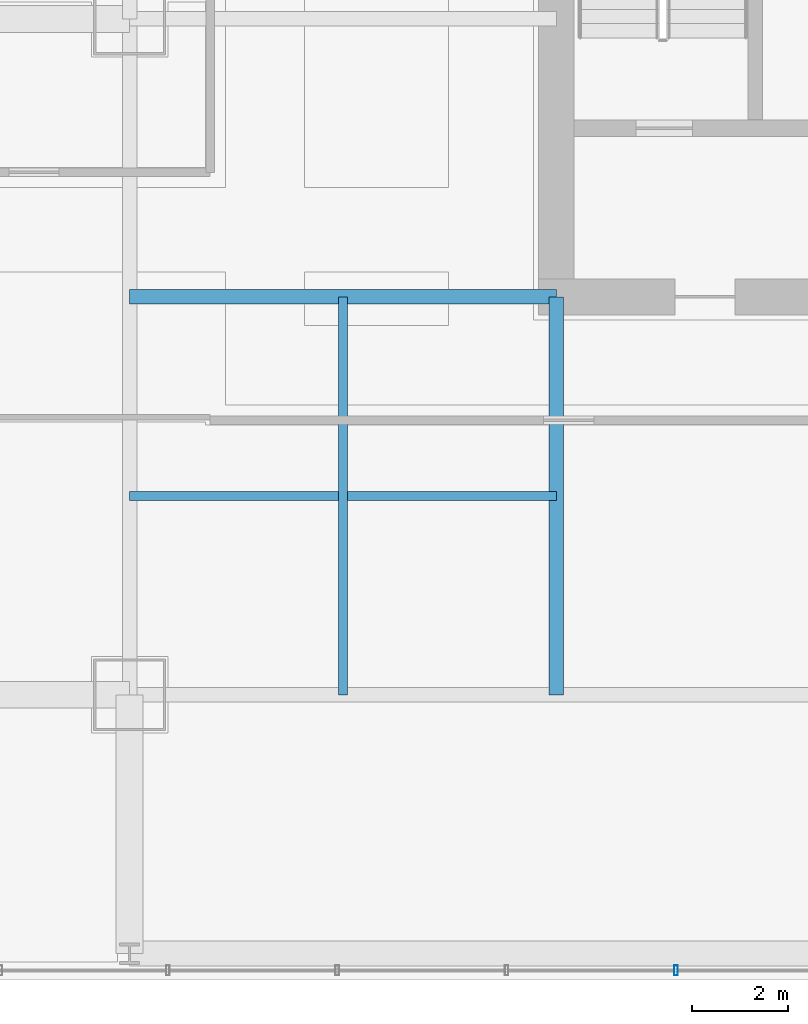
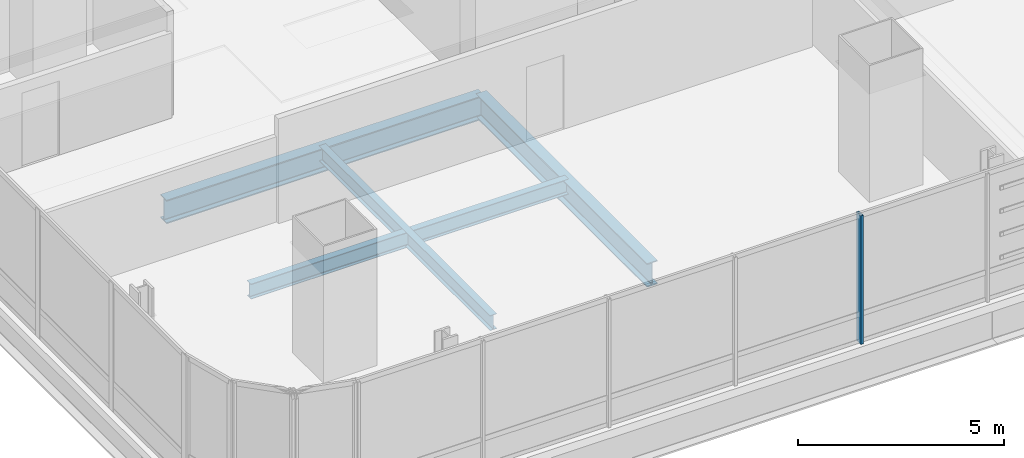
# One storey, part 5 of 36: 4 beams, 1 member, 1 element without a shape of its own.
"""IFC4 building model written with IfcOpenShell, lengths in metres."""

from ifc_helpers import new_model, si_unit, direction, frame, origin, origin_2d, place, context, subcontext, project, spatial, hollow_rectangle, i_section, extrude, material, material_profile, profile_set, type_object, element, aggregate, save


model = new_model("IFC4")

# Units and contexts
model_context = context("Model", 3, precision=1e-05, world=origin(), true_north=direction((0.0, 1.0)))
body_context = subcontext(model_context, "Body", "Model", "MODEL_VIEW")
ifc_project = project(units=[si_unit("LENGTHUNIT", "METRE"), si_unit("AREAUNIT", "SQUARE_METRE"), si_unit("VOLUMEUNIT", "CUBIC_METRE"), si_unit("PLANEANGLEUNIT", "RADIAN"), si_unit("MASSUNIT", "GRAM", prefix="KILO")], contexts=[model_context])

# Site, building, storey
site_placement = place(None, origin())
site = spatial("IfcSite", under=ifc_project, at=site_placement, CompositionType="ELEMENT")
building_placement = place(site_placement, origin())
building = spatial("IfcBuilding", under=site, at=building_placement, Name="Punatoya Terracotta Tower", CompositionType="ELEMENT")
storey_placement = place(building_placement, frame((0.0, 0.0, 32.25)))
storey = spatial("IfcBuildingStorey", under=building, at=storey_placement, Name="L06", CompositionType="ELEMENT", Elevation=32.25)

# Beams
ifc_material_1 = material(Name="Steel S355", Category="steel")
ifc_material_profile_1 = material_profile(ifc_material_1, i_section(OverallWidth=0.300048828125, OverallDepth=0.699951171875, WebThickness=0.01708984375, FlangeThickness=0.031982421875, FilletRadius=0.01806640625, at=origin_2d()))
ifc_profile_set_1 = profile_set([ifc_material_profile_1], Name="Steel S355")
beam_type_1 = type_object("IfcBeamType", Name="BM-PRI-700", PredefinedType="BEAM", material=ifc_profile_set_1)
beam_1_placement = place(storey_placement, frame((-19.10009765625, -9.199951171875, -0.590087890625), z_axis=(1.0, 0.0, 0.0), x_axis=(0.0, 1.0, 0.0)))
element("IfcBeam", 1, at=beam_1_placement, inside=storey, type_object=beam_type_1, Name="BM-L06-PR-WS", PredefinedType="BEAM", context=body_context, shape_type="SweptSolid", body=[
    extrude(i_section(OverallWidth=0.300048828125, OverallDepth=0.699951171875, WebThickness=0.01708984375, FlangeThickness=0.031982421875, FilletRadius=0.01806640625, at=origin_2d()), origin(), (0.0, 0.0, 1.0), 8.900146484375),
])
beam_2_placement = place(storey_placement, frame((-10.199951171875, -17.5, -0.590087890625), z_axis=(0.0, 1.0, 0.0), x_axis=(-1.0, 0.0, 0.0)))
element("IfcBeam", 2, at=beam_2_placement, inside=storey, type_object=beam_type_1, Name="BM-L06-PR-S1", PredefinedType="BEAM", context=body_context, shape_type="SweptSolid", body=[
    extrude(i_section(OverallWidth=0.300048828125, OverallDepth=0.699951171875, WebThickness=0.01708984375, FlangeThickness=0.031982421875, FilletRadius=0.01806640625, at=origin_2d()), origin(), (0.0, 0.0, 1.0), 8.300048828125),
])
ifc_material_profile_2 = material_profile(ifc_material_1, i_section(OverallWidth=0.18994140625, OverallDepth=0.449951171875, WebThickness=0.009521484375, FlangeThickness=0.0146484375, FilletRadius=0.01806640625, at=origin_2d()))
ifc_profile_set_2 = profile_set([ifc_material_profile_2], Name="Steel S355")
beam_type_2 = type_object("IfcBeamType", Name="BM-SEC-450", PredefinedType="JOIST", material=ifc_profile_set_2)
beam_3_placement = place(storey_placement, frame((-19.10009765625, -13.35009765625, -0.465087890625), z_axis=(1.0, 0.0, 0.0), x_axis=(0.0, 1.0, 0.0)))
element("IfcBeam", 3, at=beam_3_placement, inside=storey, type_object=beam_type_2, Name="BM-L06-SJS-1", PredefinedType="JOIST", context=body_context, shape_type="SweptSolid", body=[
    extrude(i_section(OverallWidth=0.18994140625, OverallDepth=0.449951171875, WebThickness=0.009521484375, FlangeThickness=0.0146484375, FilletRadius=0.01806640625, at=origin_2d()), origin(), (0.0, 0.0, 1.0), 8.900146484375),
])
beam_4_placement = place(storey_placement, frame((-14.64990234375, -17.5, -0.465087890625), z_axis=(0.0, 1.0, 0.0), x_axis=(-1.0, 0.0, 0.0)))
element("IfcBeam", 4, at=beam_4_placement, inside=storey, type_object=beam_type_2, Name="BM-L06-SJW-1", PredefinedType="JOIST", context=body_context, shape_type="SweptSolid", body=[
    extrude(i_section(OverallWidth=0.18994140625, OverallDepth=0.449951171875, WebThickness=0.009521484375, FlangeThickness=0.0146484375, FilletRadius=0.01806640625, at=origin_2d()), origin(), (0.0, 0.0, 1.0), 8.300048828125),
])

# Curtain wall, member
ifc_material_2 = material(Name="Aluminium 6063-T6 + Double Low-E Glass", Category="aluminium")
curtain_wall_type = type_object("IfcCurtainWallType", Name="CW-M1", PredefinedType="NOTDEFINED", material=ifc_material_2)
curtain_wall_placement = place(storey_placement, origin())
curtain_wall = element("IfcCurtainWall", 5, at=curtain_wall_placement, inside=storey, type_object=curtain_wall_type, Name="L06 Curtain Wall CW-L06-S01-1", PredefinedType="NOTDEFINED")
ifc_material_3 = material(Name="Aluminium 6063-T6", Category="aluminium")
ifc_material_profile_3 = material_profile(ifc_material_3, hollow_rectangle(XDim=0.074951171875, YDim=0.2099609375, WallThickness=0.00439453125, at=origin_2d()))
ifc_profile_set_3 = profile_set([ifc_material_profile_3], Name="Aluminium 6063-T6")
member_type = type_object("IfcMemberType", Name="CW-MUL-M1", PredefinedType="MULLION", material=ifc_profile_set_3)
member_placement = place(storey_placement, frame((-7.700927734375, -23.25, 0.0), z_axis=(0.0, 0.0, 1.0), x_axis=(1.0, 0.0, 0.0)))
member = element("IfcMember", 6, at=member_placement, type_object=member_type, Name="CW-L06-S01-1 Mullion 04", PredefinedType="MULLION", context=body_context, shape_type="SweptSolid", body=[
    extrude(hollow_rectangle(XDim=0.074951171875, YDim=0.2099609375, WallThickness=0.00439453125, at=origin_2d()), origin(), (0.0, 0.0, 1.0), 3.81005859375),
])
aggregate(curtain_wall, [member])

save(model, "model.ifc")
